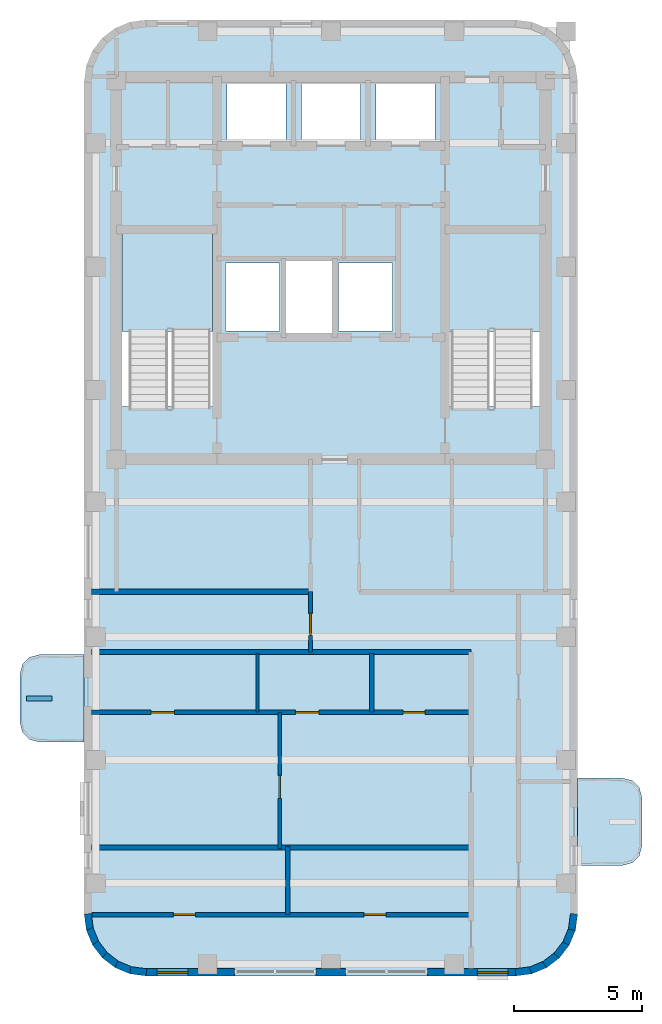
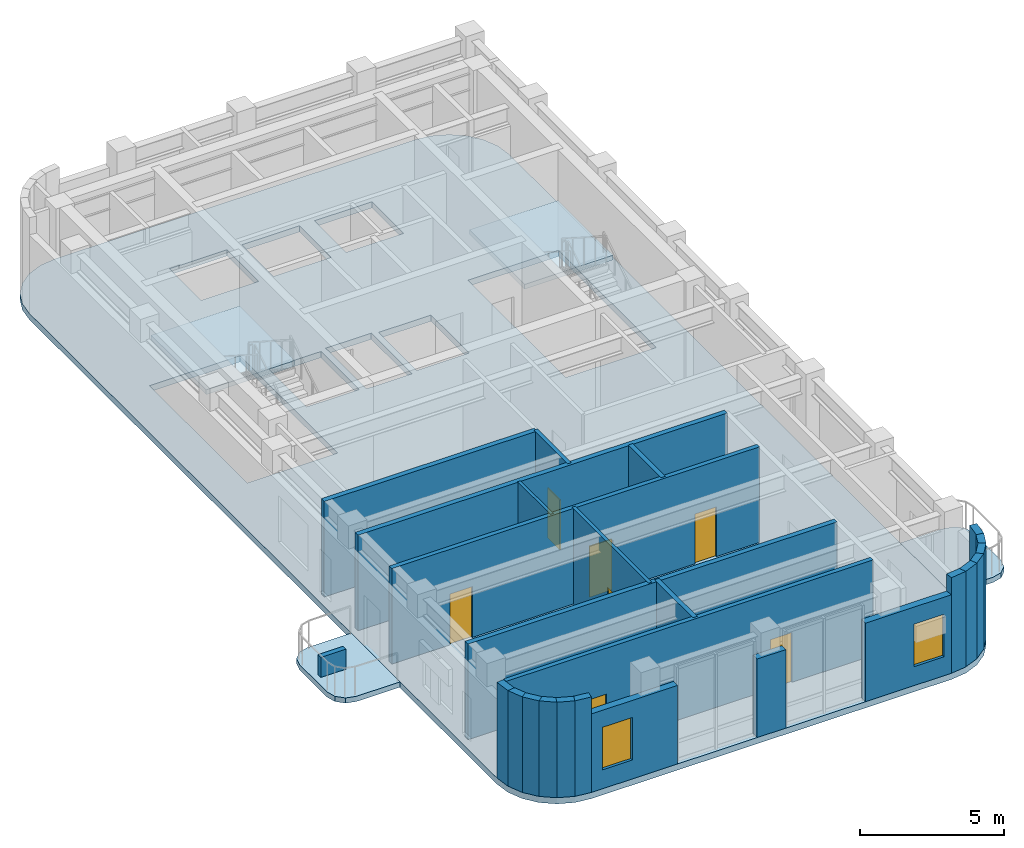
# One storey, part 2 of 6: 26 walls, 7 doors, 5 slabs, 2 windows, 9 openings, 2 elements without a shape of their own.
"""IFC4 building model written with IfcOpenShell, lengths in metres."""

from ifc_helpers import new_model, si_unit, direction, frame, frame_2d, origin, place, context, subcontext, project, spatial, polyline, rectangle, outline, extrude, material, layer, layer_set, type_object, element, fill, aggregate, save


model = new_model("IFC4")

# Units and contexts
model_context = context("Model", 3, precision=1e-05, world=origin(), true_north=direction((0.0, 1.0)))
body_context = subcontext(model_context, "Body", "Model", "MODEL_VIEW")
ifc_project = project(units=[si_unit("LENGTHUNIT", "METRE"), si_unit("AREAUNIT", "SQUARE_METRE"), si_unit("VOLUMEUNIT", "CUBIC_METRE"), si_unit("PLANEANGLEUNIT", "RADIAN"), si_unit("MASSUNIT", "GRAM", prefix="KILO")], contexts=[model_context])

# Site, building, storey
site_placement = place(None, origin())
site = spatial("IfcSite", under=ifc_project, at=site_placement, CompositionType="ELEMENT")
building_placement = place(site_placement, origin())
building = spatial("IfcBuilding", under=site, at=building_placement, Name="Orvandelia Arch Residences", CompositionType="ELEMENT")
storey_placement = place(building_placement, frame((0.0, 0.0, 278.5)))
storey = spatial("IfcBuildingStorey", under=building, at=storey_placement, Name="L72", CompositionType="ELEMENT", Elevation=278.5)

# Slabs
ifc_material_1 = material(Name="Precast concrete C40/50", Category="concrete")
ifc_layer_1 = layer(ifc_material_1, 0.219970703125, Name="Precast concrete C40/50", Category="concrete")
ifc_layer_set_1 = layer_set([ifc_layer_1], Name="Precast concrete C40/50")
slab_type_1 = type_object("IfcSlabType", Name="SLB-BAL-220", PredefinedType="USERDEFINED", material=ifc_layer_set_1)
slab_1_placement = place(storey_placement, frame((0.0, 0.0, -0.219970703125)))
element("IfcSlab", 1, at=slab_1_placement, inside=storey, type_object=slab_type_1, Name="Tree Balcony Cantilever Slab BAL-L72-W1", ObjectType="BALCONY", PredefinedType="USERDEFINED", context=body_context, shape_type="SweptSolid", body=[
    extrude(outline(polyline([(4.800048828125, 19.89990234375), (4.800048828125, 23.300048828125), (3.050048828125, 23.300048828125), (2.675048828125, 23.199462890625), (2.400390625, 22.925048828125), (2.300048828125, 22.550048828125), (2.300048828125, 20.64990234375), (2.400390625, 20.27490234375), (2.675048828125, 20.00048828125), (3.050048828125, 19.89990234375), (4.800048828125, 19.89990234375)])), origin(), (0.0, 0.0, 1.0), 0.219970703125),
])
slab_2_placement = place(storey_placement, frame((0.0, 0.0, -0.219970703125)))
element("IfcSlab", 2, at=slab_2_placement, inside=storey, type_object=slab_type_1, Name="Tree Balcony Cantilever Slab BAL-L72-W2", ObjectType="BALCONY", PredefinedType="USERDEFINED", context=body_context, shape_type="SweptSolid", body=[
    extrude(outline(polyline([(24.0, 18.5), (24.0, 15.10009765625), (25.75, 15.10009765625), (26.125, 15.200439453125), (26.3994140625, 15.47509765625), (26.5, 15.85009765625), (26.5, 17.75), (26.3994140625, 18.125), (26.125, 18.3994140625), (25.75, 18.5), (24.0, 18.5)])), origin(), (0.0, 0.0, 1.0), 0.219970703125),
])

# Stair, slab
ifc_material_2 = material(Name="Concrete C40/50", Category="concrete")
stair_type = type_object("IfcStairType", Name="STAIR-RC-DOGLEG", PredefinedType="HALF_TURN_STAIR", material=ifc_material_2)
stair_1_placement = place(storey_placement, origin())
stair_1 = element("IfcStair", 3, at=stair_1_placement, inside=storey, type_object=stair_type, Name="L72 Protected Exit Stair ST-1", PredefinedType="HALF_TURN_STAIR")
ifc_layer_2 = layer(ifc_material_2, 0.219970703125, Name="Concrete C40/50", Category="concrete")
ifc_layer_set_2 = layer_set([ifc_layer_2], Name="Concrete C40/50")
slab_type_2 = type_object("IfcSlabType", Name="SLB-LANDING-220", PredefinedType="LANDING", material=ifc_layer_set_2)
slab_3_placement = place(storey_placement, frame((0.0, 0.0, 1.949951171875)))
slab_3 = element("IfcSlab", 4, at=slab_3_placement, type_object=slab_type_2, Name="ST-1 landing 1", PredefinedType="LANDING", context=body_context, shape_type="SweptSolid", body=[
    extrude(outline(polyline([(9.800048828125, 35.8701171875), (9.800048828125, 39.68994140625), (6.260009765625, 39.68994140625), (6.260009765625, 35.8701171875), (9.800048828125, 35.8701171875)])), origin(), (0.0, 0.0, 1.0), 0.199951171875),
])
aggregate(stair_1, [slab_3])

stair_2_placement = place(storey_placement, origin())
stair_2 = element("IfcStair", 5, at=stair_2_placement, inside=storey, type_object=stair_type, Name="L72 Protected Exit Stair ST-2", PredefinedType="HALF_TURN_STAIR")
slab_4_placement = place(storey_placement, frame((0.0, 0.0, 1.949951171875)))
slab_4 = element("IfcSlab", 6, at=slab_4_placement, type_object=slab_type_2, Name="ST-2 landing 1", PredefinedType="LANDING", context=body_context, shape_type="SweptSolid", body=[
    extrude(outline(polyline([(22.5400390625, 35.8701171875), (22.5400390625, 39.68994140625), (19.0, 39.68994140625), (19.0, 35.8701171875), (22.5400390625, 35.8701171875)])), origin(), (0.0, 0.0, 1.0), 0.199951171875),
])
aggregate(stair_2, [slab_4])

# Slab
ifc_layer_3 = layer(ifc_material_2, 0.260009765625, Name="Concrete C40/50", Category="concrete")
ifc_layer_set_3 = layer_set([ifc_layer_3], Name="Concrete C40/50")
slab_type_3 = type_object("IfcSlabType", Name="SLB-TWR-260", PredefinedType="FLOOR", material=ifc_layer_set_3)
slab_5_placement = place(storey_placement, frame((0.0, 0.0, -0.260009765625)))
element("IfcSlab", 7, at=slab_5_placement, inside=storey, type_object=slab_type_3, Name="Structural Floor Slab L72-1", PredefinedType="FLOOR", context=body_context, shape_type="SweptSolid", body=[
    extrude(outline(polyline([(4.800048828125, 13.199951171875), (4.8818359375, 12.578857421875), (5.12158203125, 12.0), (5.5029296875, 11.5029296875), (6.0, 11.12158203125), (6.578857421875, 10.8818359375), (7.199951171875, 10.800048828125), (21.60009765625, 10.800048828125), (22.22119140625, 10.8818359375), (22.800048828125, 11.12158203125), (23.297119140625, 11.5029296875), (23.678466796875, 12.0), (23.918212890625, 12.578857421875), (24.0, 13.199951171875), (24.0, 45.60009765625), (23.918212890625, 46.22119140625), (23.678466796875, 46.800048828125), (23.297119140625, 47.297119140625), (22.800048828125, 47.678466796875), (22.22119140625, 47.918212890625), (21.60009765625, 48.0), (7.199951171875, 48.0), (6.578857421875, 47.918212890625), (6.0, 47.678466796875), (5.5029296875, 47.297119140625), (5.12158203125, 46.800048828125), (4.8818359375, 46.22119140625), (4.800048828125, 45.60009765625), (4.800048828125, 13.199951171875)]), holes=[polyline([(6.219970703125, 32.949951171875), (9.840087890625, 32.949951171875), (9.840087890625, 39.72998046875), (6.219970703125, 39.72998046875), (6.219970703125, 32.949951171875)]), polyline([(18.9599609375, 32.949951171875), (22.580078125, 32.949951171875), (22.580078125, 39.72998046875), (18.9599609375, 39.72998046875), (18.9599609375, 32.949951171875)]), polyline([(12.639892578125, 35.81005859375), (14.4599609375, 35.81005859375), (14.4599609375, 38.639892578125), (12.639892578125, 38.639892578125), (12.639892578125, 35.81005859375)]), polyline([(10.300048828125, 35.89990234375), (12.39990234375, 35.89990234375), (12.39990234375, 38.550048828125), (10.300048828125, 38.550048828125), (10.300048828125, 35.89990234375)]), polyline([(14.699951171875, 35.89990234375), (16.800048828125, 35.89990234375), (16.800048828125, 38.550048828125), (14.699951171875, 38.550048828125), (14.699951171875, 35.89990234375)]), polyline([(10.35009765625, 43.300048828125), (12.64990234375, 43.300048828125), (12.64990234375, 45.5), (10.35009765625, 45.5), (10.35009765625, 43.300048828125)]), polyline([(13.25, 43.300048828125), (15.550048828125, 43.300048828125), (15.550048828125, 45.5), (13.25, 45.5), (13.25, 43.300048828125)]), polyline([(16.14990234375, 43.300048828125), (18.449951171875, 43.300048828125), (18.449951171875, 45.5), (16.14990234375, 45.5), (16.14990234375, 43.300048828125)])]), origin(), (0.0, 0.0, 1.0), 0.260009765625),
])

# Walls
ifc_material_3 = material(Name="Fire-Rated Corridor Partition")
ifc_layer_4 = layer(ifc_material_3, 0.199951171875, Name="Fire-Rated Corridor Partition")
ifc_layer_set_4 = layer_set([ifc_layer_4], Name="Fire-Rated Corridor Partition")
wall_type_1 = type_object("IfcWallType", Name="WL-CORR-200", PredefinedType="PARTITIONING", material=ifc_layer_set_4)
wall_1_placement = place(storey_placement, frame((5.080078125, 23.39990234375, 0.0), z_axis=(0.0, 0.0, 1.0), x_axis=(1.0, 0.0, 0.0)))
element("IfcWall", 8, at=wall_1_placement, inside=storey, type_object=wall_type_1, Name="Interior Partition Wall WL-L72-WLNK-S", PredefinedType="PARTITIONING", context=body_context, shape_type="SweptSolid", body=[
    extrude(rectangle(XDim=14.77001953125, YDim=0.199951171875, at=frame_2d((7.385009765625, 0.0))), origin(), (0.0, 0.0, 1.0), 4.0400390625),
])
wall_2_placement = place(storey_placement, frame((5.080078125, 25.75, 0.0), z_axis=(0.0, 0.0, 1.0), x_axis=(1.0, 0.0, 0.0)))
element("IfcWall", 9, at=wall_2_placement, inside=storey, type_object=wall_type_1, Name="Interior Partition Wall WL-L72-WLNK-NW2", PredefinedType="PARTITIONING", context=body_context, shape_type="SweptSolid", body=[
    extrude(rectangle(XDim=8.52001953125, YDim=0.199951171875, at=frame_2d((4.260009765625, 0.0))), origin(), (0.0, 0.0, 1.0), 4.0400390625),
])
ifc_layer_5 = layer(ifc_material_2, 0.199951171875, Name="Concrete C40/50", Category="concrete")
ifc_layer_set_5 = layer_set([ifc_layer_5], Name="Concrete C40/50")
wall_type_2 = type_object("IfcWallType", Name="WL-DEM-200", PredefinedType="SOLIDWALL", material=ifc_layer_set_5)
wall_3_placement = place(storey_placement, frame((5.080078125, 15.800048828125, 0.0), z_axis=(0.0, 0.0, 1.0), x_axis=(1.0, 0.0, 0.0)))
element("IfcWall", 10, at=wall_3_placement, inside=storey, type_object=wall_type_2, Name="Interior Partition Wall WL-L72-DEM-WL-158", PredefinedType="SOLIDWALL", context=body_context, shape_type="SweptSolid", body=[
    extrude(rectangle(XDim=14.77001953125, YDim=0.199951171875, at=frame_2d((7.385009765625, 0.0))), origin(), (0.0, 0.0, 1.0), 4.0400390625),
])
ifc_layer_6 = layer(ifc_material_1, 0.280029296875, Name="Precast concrete C40/50", Category="concrete")
ifc_layer_set_6 = layer_set([ifc_layer_6], Name="Precast concrete C40/50")
wall_type_3 = type_object("IfcWallType", Name="WL-EXT-STONE-280", PredefinedType="STANDARD", material=ifc_layer_set_6)
wall_4_placement = place(storey_placement, frame((23.861083984375, 13.21826171875, 0.0), z_axis=(0.0, 0.0, 1.0), x_axis=(-0.130555323746, -0.9914410257, 0.0)))
element("IfcWall", 11, at=wall_4_placement, inside=storey, type_object=wall_type_3, Name="Coral-Limestone Precast Facade Wall L72-015", PredefinedType="STANDARD", context=body_context, shape_type="SweptSolid", body=[
    extrude(rectangle(XDim=0.62646484375, YDim=0.280029296875, at=frame_2d((0.313232421875, 0.0))), origin(), (0.0, 0.0, 1.0), 4.0400390625),
])
wall_5_placement = place(storey_placement, frame((23.788818359375, 12.63232421875, 0.0), z_axis=(0.0, 0.0, 1.0), x_axis=(-0.382455093999, -0.923974080304, 0.0)))
element("IfcWall", 12, at=wall_5_placement, inside=storey, type_object=wall_type_3, Name="Coral-Limestone Precast Facade Wall L72-016", PredefinedType="STANDARD", context=body_context, shape_type="SweptSolid", body=[
    extrude(rectangle(XDim=0.626220703125, YDim=0.280029296875, at=frame_2d((0.31298828125, 0.0))), origin(), (0.0, 0.0, 1.0), 4.0400390625),
])
for number, where, z_axis, x_axis, name in (
    (13, (23.5673828125, 12.085205078125, 0.0), (0.0, 0.0, 1.0), (-0.608693302629, -0.793405610854, 0.0), "Coral-Limestone Precast Facade Wall L72-017"),
    (14, (23.2119140625, 11.614013671875, 0.0), (0.0, 0.0, 1.0), (-0.793405610854, -0.608693302629, 0.0), "Coral-Limestone Precast Facade Wall L72-018"),
    (15, (22.746337890625, 11.250732421875, 0.0), (0.0, 0.0, 1.0), (-0.92389335771, -0.382650053678, 0.0), "Coral-Limestone Precast Facade Wall L72-019"),
    (16, (22.202880859375, 11.0205078125, 0.0), (0.0, 0.0, 1.0), (-0.9914410257, -0.130555323746, 0.0), "Coral-Limestone Precast Facade Wall L72-020"),
):
    element("IfcWall", number, at=place(storey_placement, frame(where, z_axis=z_axis, x_axis=x_axis)), inside=storey, type_object=wall_type_3, Name=name, PredefinedType="STANDARD", context=body_context, shape_type="SweptSolid", body=[
        extrude(rectangle(XDim=0.62646484375, YDim=0.280029296875, at=frame_2d((0.313232421875, 0.0))), origin(), (0.0, 0.0, 1.0), 4.0400390625),
    ])

# Wall, opening, window
wall_6_placement = place(storey_placement, frame((21.60009765625, 10.93994140625, 0.0), z_axis=(0.0, 0.0, 1.0), x_axis=(-1.0, 0.0, 0.0)))
wall_6 = element("IfcWall", 17, at=wall_6_placement, inside=storey, type_object=wall_type_3, Name="Coral-Limestone Precast Facade Wall L72-021", PredefinedType="STANDARD", context=body_context, shape_type="SweptSolid", body=[
    extrude(rectangle(XDim=3.440185546875, YDim=0.280029296875, at=frame_2d((1.72021484375, 0.0))), origin(), (0.0, 0.0, 1.0), 3.320068359375),
])
opening_1_placement = place(wall_6_placement, frame((0.304931640625, 0.0, 0.800048828125)))
opening_1 = element("IfcOpeningElement", 18, at=opening_1_placement, cuts=wall_6, Name="Opening W3", PredefinedType="OPENING", context=body_context, shape_type="SweptSolid", body=[
    extrude(rectangle(XDim=1.199951171875, YDim=1.800048828125, at=frame_2d((0.60009765625, 0.89990234375))), frame((0.0, 0.14990234375, 0.0), z_axis=(0.0, -1.0, 0.0), x_axis=(1.0, 0.0, 0.0)), (0.0, 0.0, 1.0), 0.300048828125),
])
ifc_material_4 = material(Name="Tempered Low-E Insulated Glazing", Category="glass")
window_type = type_object("IfcWindowType", Name="WIN-RES-1200x1800", PartitioningType="SINGLE_PANEL", PredefinedType="WINDOW", material=ifc_material_4)
window_1_placement = place(opening_1_placement, origin())
window_1 = element("IfcWindow", 19, at=window_1_placement, inside=storey, type_object=window_type, Name="Recessed Punched Window L72-006", OverallHeight=1.800048828125, OverallWidth=1.199951171875, PartitioningType="SINGLE_PANEL", PredefinedType="WINDOW", context=body_context, shape_type="SweptSolid", body=[
    extrude(rectangle(XDim=1.199951171875, YDim=1.800048828125, at=frame_2d((0.60009765625, 0.89990234375))), frame((0.0, 0.030029296875, 0.0), z_axis=(0.0, -1.0, 0.0), x_axis=(1.0, 0.0, 0.0)), (0.0, 0.0, 1.0), 0.06005859375),
])
fill(opening_1, window_1)

# Wall
wall_7_placement = place(storey_placement, frame((14.97509765625, 10.93994140625, 0.0), z_axis=(0.0, 0.0, 1.0), x_axis=(-1.0, 0.0, 0.0)))
element("IfcWall", 20, at=wall_7_placement, inside=storey, type_object=wall_type_3, Name="Coral-Limestone Precast Facade Wall L72-022", PredefinedType="STANDARD", context=body_context, shape_type="SweptSolid", body=[
    extrude(rectangle(XDim=1.150146484375, YDim=0.280029296875, at=frame_2d((0.5751953125, 0.0))), origin(), (0.0, 0.0, 1.0), 3.320068359375),
])

# Wall, opening, window
wall_8_placement = place(storey_placement, frame((10.639892578125, 10.93994140625, 0.0), z_axis=(0.0, 0.0, 1.0), x_axis=(-1.0, 0.0, 0.0)))
wall_8 = element("IfcWall", 21, at=wall_8_placement, inside=storey, type_object=wall_type_3, Name="Coral-Limestone Precast Facade Wall L72-023", PredefinedType="STANDARD", context=body_context, shape_type="SweptSolid", body=[
    extrude(rectangle(XDim=3.43994140625, YDim=0.280029296875, at=frame_2d((1.719970703125, 0.0))), origin(), (0.0, 0.0, 1.0), 3.320068359375),
])
opening_2_placement = place(wall_8_placement, frame((1.8076171875, 0.0, 0.800048828125)))
opening_2 = element("IfcOpeningElement", 22, at=opening_2_placement, cuts=wall_8, Name="Opening W3", PredefinedType="OPENING", context=body_context, shape_type="SweptSolid", body=[
    extrude(rectangle(XDim=1.199951171875, YDim=1.800048828125, at=frame_2d((0.60009765625, 0.89990234375))), frame((0.0, 0.14990234375, 0.0), z_axis=(0.0, -1.0, 0.0), x_axis=(1.0, 0.0, 0.0)), (0.0, 0.0, 1.0), 0.300048828125),
])
window_2_placement = place(opening_2_placement, origin())
window_2 = element("IfcWindow", 23, at=window_2_placement, inside=storey, type_object=window_type, Name="Recessed Punched Window L72-007", OverallHeight=1.800048828125, OverallWidth=1.199951171875, PartitioningType="SINGLE_PANEL", PredefinedType="WINDOW", context=body_context, shape_type="SweptSolid", body=[
    extrude(rectangle(XDim=1.199951171875, YDim=1.800048828125, at=frame_2d((0.60009765625, 0.89990234375))), frame((0.0, 0.030029296875, 0.0), z_axis=(0.0, -1.0, 0.0), x_axis=(1.0, 0.0, 0.0)), (0.0, 0.0, 1.0), 0.06005859375),
])
fill(opening_2, window_2)

# Walls
wall_9_placement = place(storey_placement, frame((7.21826171875, 10.938720703125, 0.0), z_axis=(0.0, 0.0, 1.0), x_axis=(-0.9914410257, 0.130555323746, 0.0)))
element("IfcWall", 24, at=wall_9_placement, inside=storey, type_object=wall_type_3, Name="Coral-Limestone Precast Facade Wall L72-024", PredefinedType="STANDARD", context=body_context, shape_type="SweptSolid", body=[
    extrude(rectangle(XDim=0.62646484375, YDim=0.280029296875, at=frame_2d((0.313232421875, 0.0))), origin(), (0.0, 0.0, 1.0), 4.0400390625),
])
wall_10_placement = place(storey_placement, frame((6.63232421875, 11.010986328125, 0.0), z_axis=(0.0, 0.0, 1.0), x_axis=(-0.923836271867, 0.382787856107, 0.0)))
element("IfcWall", 25, at=wall_10_placement, inside=storey, type_object=wall_type_3, Name="Coral-Limestone Precast Facade Wall L72-025", PredefinedType="STANDARD", context=body_context, shape_type="SweptSolid", body=[
    extrude(rectangle(XDim=0.626220703125, YDim=0.280029296875, at=frame_2d((0.31298828125, 0.0))), origin(), (0.0, 0.0, 1.0), 4.0400390625),
])
for number, where, z_axis, x_axis, name in (
    (26, (6.085205078125, 11.232666015625, 0.0), (0.0, 0.0, 1.0), (-0.793405610854, 0.608693302629, 0.0), "Coral-Limestone Precast Facade Wall L72-026"),
    (27, (5.614013671875, 11.588134765625, 0.0), (0.0, 0.0, 1.0), (-0.608693302629, 0.793405610854, 0.0), "Coral-Limestone Precast Facade Wall L72-027"),
):
    element("IfcWall", number, at=place(storey_placement, frame(where, z_axis=z_axis, x_axis=x_axis)), inside=storey, type_object=wall_type_3, Name=name, PredefinedType="STANDARD", context=body_context, shape_type="SweptSolid", body=[
        extrude(rectangle(XDim=0.62646484375, YDim=0.280029296875, at=frame_2d((0.313232421875, 0.0))), origin(), (0.0, 0.0, 1.0), 4.0400390625),
    ])
wall_11_placement = place(storey_placement, frame((5.250732421875, 12.0537109375, 0.0), z_axis=(0.0, 0.0, 1.0), x_axis=(-0.382787856107, 0.923836271867, 0.0)))
element("IfcWall", 28, at=wall_11_placement, inside=storey, type_object=wall_type_3, Name="Coral-Limestone Precast Facade Wall L72-028", PredefinedType="STANDARD", context=body_context, shape_type="SweptSolid", body=[
    extrude(rectangle(XDim=0.626220703125, YDim=0.280029296875, at=frame_2d((0.31298828125, 0.0))), origin(), (0.0, 0.0, 1.0), 4.0400390625),
])
wall_12_placement = place(storey_placement, frame((5.0205078125, 12.59716796875, 0.0), z_axis=(0.0, 0.0, 1.0), x_axis=(-0.130555323746, 0.9914410257, 0.0)))
element("IfcWall", 29, at=wall_12_placement, inside=storey, type_object=wall_type_3, Name="Coral-Limestone Precast Facade Wall L72-029", PredefinedType="STANDARD", context=body_context, shape_type="SweptSolid", body=[
    extrude(rectangle(XDim=0.62646484375, YDim=0.280029296875, at=frame_2d((0.313232421875, 0.0))), origin(), (0.0, 0.0, 1.0), 4.0400390625),
])
ifc_material_5 = material(Name="Lightweight Gypsum Stud Partition")
ifc_layer_7 = layer(ifc_material_5, 0.1201171875, Name="Lightweight Gypsum Stud Partition")
ifc_layer_set_7 = layer_set([ifc_layer_7], Name="Lightweight Gypsum Stud Partition")
wall_type_4 = type_object("IfcWallType", Name="WL-PART-120", PredefinedType="PARTITIONING", material=ifc_layer_set_7)
wall_13_placement = place(storey_placement, frame((11.541015625, 21.06005859375, 0.0), z_axis=(0.0, 0.0, 1.0), x_axis=(0.0, 1.0, 0.0)))
element("IfcWall", 30, at=wall_13_placement, inside=storey, type_object=wall_type_4, Name="Interior Partition Wall WL-L72-U02-V1", PredefinedType="PARTITIONING", context=body_context, shape_type="SweptSolid", body=[
    extrude(rectangle(XDim=2.280029296875, YDim=0.1201171875, at=frame_2d((1.14013671875, 0.0))), origin(), (0.0, 0.0, 1.0), 4.0400390625),
])

# Wall, opening, door
ifc_material_6 = material(Name="Double-Layer Acoustic Gypsum Partition")
ifc_layer_8 = layer(ifc_material_6, 0.135009765625, Name="Double-Layer Acoustic Gypsum Partition")
ifc_layer_set_8 = layer_set([ifc_layer_8], Name="Double-Layer Acoustic Gypsum Partition")
wall_type_5 = type_object("IfcWallType", Name="WL-PART-135", PredefinedType="PARTITIONING", material=ifc_layer_set_8)
wall_14_placement = place(storey_placement, frame((12.408935546875, 15.760009765625, 0.0), z_axis=(0.0, 0.0, 1.0), x_axis=(0.0, 1.0, 0.0)))
wall_14 = element("IfcWall", 31, at=wall_14_placement, inside=storey, type_object=wall_type_5, Name="Interior Partition Wall WL-L72-U02-DIN", PredefinedType="PARTITIONING", context=body_context, shape_type="SweptSolid", body=[
    extrude(rectangle(XDim=5.300048828125, YDim=0.135009765625, at=frame_2d((2.64990234375, 0.0))), origin(), (0.0, 0.0, 1.0), 4.0400390625),
])
opening_3_placement = place(wall_14_placement, frame((1.944091796875, 0.0, 0.0)))
opening_3 = element("IfcOpeningElement", 32, at=opening_3_placement, cuts=wall_14, Name="Opening D3", PredefinedType="OPENING", context=body_context, shape_type="SweptSolid", body=[
    extrude(rectangle(XDim=0.89990234375, YDim=2.14990234375, at=frame_2d((0.449951171875, 1.074951171875))), frame((0.0, 0.07763671875, 0.0), z_axis=(0.0, -1.0, 0.0), x_axis=(1.0, 0.0, 0.0)), (0.0, 0.0, 1.0), 0.155029296875),
])
ifc_material_7 = material(Name="Engineered Timber Flush Door", Category="wood")
door_type_1 = type_object("IfcDoorType", Name="DR-INT-900", OperationType="NOTDEFINED", PredefinedType="DOOR", material=ifc_material_7)
door_1_placement = place(opening_3_placement, origin())
door_1 = element("IfcDoor", 33, at=door_1_placement, inside=storey, type_object=door_type_1, Name="DR-L72-U02-DIN", OperationType="SINGLE_SWING_LEFT", OverallHeight=2.14990234375, OverallWidth=0.89990234375, PredefinedType="DOOR", context=body_context, shape_type="SweptSolid", body=[
    extrude(rectangle(XDim=0.89990234375, YDim=2.14990234375, at=frame_2d((0.449951171875, 1.074951171875))), frame((0.0, 0.02490234375, 0.0), z_axis=(0.0, -1.0, 0.0), x_axis=(1.0, 0.0, 0.0)), (0.0, 0.0, 1.0), 0.050048828125),
])
fill(opening_3, door_1)

ifc_material_8 = material(Name="Acoustic Gypsum Stud Partition")
ifc_layer_9 = layer(ifc_material_8, 0.14990234375, Name="Acoustic Gypsum Stud Partition")
ifc_layer_set_9 = layer_set([ifc_layer_9], Name="Acoustic Gypsum Stud Partition")
wall_type_6 = type_object("IfcWallType", Name="WL-PART-150", PredefinedType="PARTITIONING", material=ifc_layer_set_9)
wall_15_placement = place(storey_placement, frame((13.60009765625, 23.39990234375, 0.0), z_axis=(0.0, 0.0, 1.0), x_axis=(0.0, 1.0, 0.0)))
wall_15 = element("IfcWall", 34, at=wall_15_placement, inside=storey, type_object=wall_type_6, Name="Interior Partition Wall WL-L72-WLNK-W", PredefinedType="PARTITIONING", context=body_context, shape_type="SweptSolid", body=[
    extrude(rectangle(XDim=2.35009765625, YDim=0.14990234375, at=frame_2d((1.175048828125, 0.0))), origin(), (0.0, 0.0, 1.0), 4.0400390625),
])
opening_4_placement = place(wall_15_placement, frame((0.64990234375, 0.0, 0.0)))
opening_4 = element("IfcOpeningElement", 35, at=opening_4_placement, cuts=wall_15, Name="Opening D4", PredefinedType="OPENING", context=body_context, shape_type="SweptSolid", body=[
    extrude(rectangle(XDim=0.860107421875, YDim=2.10009765625, at=frame_2d((0.43017578125, 1.050048828125))), frame((0.0, 0.0849609375, 0.0), z_axis=(0.0, -1.0, 0.0), x_axis=(1.0, 0.0, 0.0)), (0.0, 0.0, 1.0), 0.169921875),
])
ifc_material_9 = material(Name="Moisture-Sealed Timber Bathroom Door", Category="wood")
door_type_2 = type_object("IfcDoorType", Name="DR-WET-900", OperationType="NOTDEFINED", PredefinedType="DOOR", material=ifc_material_9)
door_2_placement = place(opening_4_placement, origin())
door_2 = element("IfcDoor", 36, at=door_2_placement, inside=storey, type_object=door_type_2, Name="DR-L72-WLNKST", OperationType="SINGLE_SWING_LEFT", OverallHeight=2.10009765625, OverallWidth=0.860107421875, PredefinedType="DOOR", context=body_context, shape_type="SweptSolid", body=[
    extrude(rectangle(XDim=0.860107421875, YDim=2.10009765625, at=frame_2d((0.43017578125, 1.050048828125))), frame((0.0, 0.02490234375, 0.0), z_axis=(0.0, -1.0, 0.0), x_axis=(1.0, 0.0, 0.0)), (0.0, 0.0, 1.0), 0.050048828125),
])
fill(opening_4, door_2)

# Wall
ifc_layer_10 = layer(ifc_material_1, 0.199951171875, Name="Precast concrete C40/50", Category="concrete")
ifc_layer_set_10 = layer_set([ifc_layer_10], Name="Precast concrete C40/50")
wall_type_7 = type_object("IfcWallType", Name="WL-PLANTER-200", PredefinedType="MOVABLE", material=ifc_layer_set_10)
wall_16_placement = place(storey_placement, frame((2.550048828125, 21.60009765625, 0.0), z_axis=(0.0, 0.0, 1.0), x_axis=(1.0, 0.0, 0.0)))
element("IfcWall", 37, at=wall_16_placement, inside=storey, type_object=wall_type_7, Name="Balcony Precast Tree Planter BAL-L72-W1", PredefinedType="MOVABLE", context=body_context, shape_type="SweptSolid", body=[
    extrude(rectangle(XDim=1.0, YDim=0.199951171875, at=frame_2d((0.5, 0.0))), origin(), (0.0, 0.0, 1.0), 0.85009765625),
])

# Wall, openings, doors
ifc_material_10 = material(Name="Moisture-Resistant Plumbing Wall")
ifc_layer_11 = layer(ifc_material_10, 0.179931640625, Name="Moisture-Resistant Plumbing Wall")
ifc_layer_set_11 = layer_set([ifc_layer_11], Name="Moisture-Resistant Plumbing Wall")
wall_type_8 = type_object("IfcWallType", Name="WL-WET-180", PredefinedType="PLUMBINGWALL", material=ifc_layer_set_11)
wall_17_placement = place(storey_placement, frame((5.10009765625, 13.179931640625, 0.0), z_axis=(0.0, 0.0, 1.0), x_axis=(1.0, 0.0, 0.0)))
wall_17 = element("IfcWall", 38, at=wall_17_placement, inside=storey, type_object=wall_type_8, Name="Interior Partition Wall WL-L72-U01-HZ", PredefinedType="PLUMBINGWALL", context=body_context, shape_type="SweptSolid", body=[
    extrude(rectangle(XDim=14.68994140625, YDim=0.179931640625, at=frame_2d((7.344970703125, 0.0))), origin(), (0.0, 0.0, 1.0), 4.0400390625),
])
opening_5_placement = place(wall_17_placement, frame((3.1650390625, 0.0, 0.0)))
opening_5 = element("IfcOpeningElement", 39, at=opening_5_placement, cuts=wall_17, Name="Opening D4", PredefinedType="OPENING", context=body_context, shape_type="SweptSolid", body=[
    extrude(rectangle(XDim=0.860107421875, YDim=2.10009765625, at=frame_2d((0.43017578125, 1.050048828125))), frame((0.0, 0.10009765625, 0.0), z_axis=(0.0, -1.0, 0.0), x_axis=(1.0, 0.0, 0.0)), (0.0, 0.0, 1.0), 0.199951171875),
])
opening_6_placement = place(wall_17_placement, frame((10.580078125, 0.0, 0.0)))
opening_6 = element("IfcOpeningElement", 40, at=opening_6_placement, cuts=wall_17, Name="Opening D4", PredefinedType="OPENING", context=body_context, shape_type="SweptSolid", body=[
    extrude(rectangle(XDim=0.860107421875, YDim=2.10009765625, at=frame_2d((0.43017578125, 1.050048828125))), frame((0.0, 0.10009765625, 0.0), z_axis=(0.0, -1.0, 0.0), x_axis=(1.0, 0.0, 0.0)), (0.0, 0.0, 1.0), 0.199951171875),
])
door_3_placement = place(opening_5_placement, origin())
door_3 = element("IfcDoor", 41, at=door_3_placement, inside=storey, type_object=door_type_2, Name="DR-L72-U01-KIT", OperationType="SINGLE_SWING_LEFT", OverallHeight=2.10009765625, OverallWidth=0.860107421875, PredefinedType="DOOR", context=body_context, shape_type="SweptSolid", body=[
    extrude(rectangle(XDim=0.860107421875, YDim=2.10009765625, at=frame_2d((0.43017578125, 1.050048828125))), frame((0.0, 0.02490234375, 0.0), z_axis=(0.0, -1.0, 0.0), x_axis=(1.0, 0.0, 0.0)), (0.0, 0.0, 1.0), 0.050048828125),
])
fill(opening_5, door_3)
door_4_placement = place(opening_6_placement, origin())
door_4 = element("IfcDoor", 42, at=door_4_placement, inside=storey, type_object=door_type_2, Name="DR-L72-U01-BTH", OperationType="SINGLE_SWING_RIGHT", OverallHeight=2.10009765625, OverallWidth=0.860107421875, PredefinedType="DOOR", context=body_context, shape_type="SweptSolid", body=[
    extrude(rectangle(XDim=0.860107421875, YDim=2.10009765625, at=frame_2d((0.43017578125, 1.050048828125))), frame((0.0, 0.02490234375, 0.0), z_axis=(0.0, -1.0, 0.0), x_axis=(1.0, 0.0, 0.0)), (0.0, 0.0, 1.0), 0.050048828125),
])
fill(opening_6, door_4)

# Wall
wall_18_placement = place(storey_placement, frame((12.719970703125, 13.179931640625, 0.0), z_axis=(0.0, 0.0, 1.0), x_axis=(0.0, 1.0, 0.0)))
element("IfcWall", 43, at=wall_18_placement, inside=storey, type_object=wall_type_8, Name="Interior Partition Wall WL-L72-U01-V1", PredefinedType="PLUMBINGWALL", context=body_context, shape_type="SweptSolid", body=[
    extrude(rectangle(XDim=2.66015625, YDim=0.179931640625, at=frame_2d((1.330078125, 0.0))), origin(), (0.0, 0.0, 1.0), 4.0400390625),
])

# Wall, openings, doors
wall_19_placement = place(storey_placement, frame((5.080078125, 21.06005859375, 0.0), z_axis=(0.0, 0.0, 1.0), x_axis=(1.0, 0.0, 0.0)))
wall_19 = element("IfcWall", 44, at=wall_19_placement, inside=storey, type_object=wall_type_8, Name="Interior Partition Wall WL-L72-U02-HZ", PredefinedType="PLUMBINGWALL", context=body_context, shape_type="SweptSolid", body=[
    extrude(rectangle(XDim=14.7099609375, YDim=0.179931640625, at=frame_2d((7.35498046875, 0.0))), origin(), (0.0, 0.0, 1.0), 4.0400390625),
])
opening_7_placement = place(wall_19_placement, frame((2.323974609375, 0.0, 0.0)))
opening_7 = element("IfcOpeningElement", 45, at=opening_7_placement, cuts=wall_19, Name="Opening D3", PredefinedType="OPENING", context=body_context, shape_type="SweptSolid", body=[
    extrude(rectangle(XDim=0.89990234375, YDim=2.14990234375, at=frame_2d((0.449951171875, 1.074951171875))), frame((0.0, 0.10009765625, 0.0), z_axis=(0.0, -1.0, 0.0), x_axis=(1.0, 0.0, 0.0)), (0.0, 0.0, 1.0), 0.199951171875),
])
opening_8_placement = place(wall_19_placement, frame((7.94775390625, 0.0, 0.0)))
opening_8 = element("IfcOpeningElement", 46, at=opening_8_placement, cuts=wall_19, Name="Opening D3", PredefinedType="OPENING", context=body_context, shape_type="SweptSolid", body=[
    extrude(rectangle(XDim=0.89990234375, YDim=2.14990234375, at=frame_2d((0.449951171875, 1.074951171875))), frame((0.0, 0.10009765625, 0.0), z_axis=(0.0, -1.0, 0.0), x_axis=(1.0, 0.0, 0.0)), (0.0, 0.0, 1.0), 0.199951171875),
])
opening_9_placement = place(wall_19_placement, frame((12.127685546875, 0.0, 0.0)))
opening_9 = element("IfcOpeningElement", 47, at=opening_9_placement, cuts=wall_19, Name="Opening D4", PredefinedType="OPENING", context=body_context, shape_type="SweptSolid", body=[
    extrude(rectangle(XDim=0.860107421875, YDim=2.10009765625, at=frame_2d((0.43017578125, 1.050048828125))), frame((0.0, 0.10009765625, 0.0), z_axis=(0.0, -1.0, 0.0), x_axis=(1.0, 0.0, 0.0)), (0.0, 0.0, 1.0), 0.199951171875),
])
door_5_placement = place(opening_7_placement, origin())
door_5 = element("IfcDoor", 48, at=door_5_placement, inside=storey, type_object=door_type_1, Name="DR-L72-U02-BD1", OperationType="SINGLE_SWING_RIGHT", OverallHeight=2.14990234375, OverallWidth=0.89990234375, PredefinedType="DOOR", context=body_context, shape_type="SweptSolid", body=[
    extrude(rectangle(XDim=0.89990234375, YDim=2.14990234375, at=frame_2d((0.449951171875, 1.074951171875))), frame((0.0, 0.02490234375, 0.0), z_axis=(0.0, -1.0, 0.0), x_axis=(1.0, 0.0, 0.0)), (0.0, 0.0, 1.0), 0.050048828125),
])
fill(opening_7, door_5)
door_6_placement = place(opening_8_placement, origin())
door_6 = element("IfcDoor", 49, at=door_6_placement, inside=storey, type_object=door_type_1, Name="DR-L72-U02-KIT", OperationType="SINGLE_SWING_LEFT", OverallHeight=2.14990234375, OverallWidth=0.89990234375, PredefinedType="DOOR", context=body_context, shape_type="SweptSolid", body=[
    extrude(rectangle(XDim=0.89990234375, YDim=2.14990234375, at=frame_2d((0.449951171875, 1.074951171875))), frame((0.0, 0.02490234375, 0.0), z_axis=(0.0, -1.0, 0.0), x_axis=(1.0, 0.0, 0.0)), (0.0, 0.0, 1.0), 0.050048828125),
])
fill(opening_8, door_6)
door_7_placement = place(opening_9_placement, origin())
door_7 = element("IfcDoor", 50, at=door_7_placement, inside=storey, type_object=door_type_2, Name="DR-L72-U02-BTH", OperationType="SINGLE_SWING_RIGHT", OverallHeight=2.10009765625, OverallWidth=0.860107421875, PredefinedType="DOOR", context=body_context, shape_type="SweptSolid", body=[
    extrude(rectangle(XDim=0.860107421875, YDim=2.10009765625, at=frame_2d((0.43017578125, 1.050048828125))), frame((0.0, 0.02490234375, 0.0), z_axis=(0.0, -1.0, 0.0), x_axis=(1.0, 0.0, 0.0)), (0.0, 0.0, 1.0), 0.050048828125),
])
fill(opening_9, door_7)

# Wall
wall_20_placement = place(storey_placement, frame((15.9951171875, 21.06005859375, 0.0), z_axis=(0.0, 0.0, 1.0), x_axis=(0.0, 1.0, 0.0)))
element("IfcWall", 51, at=wall_20_placement, inside=storey, type_object=wall_type_8, Name="Interior Partition Wall WL-L72-U02-V2", PredefinedType="PLUMBINGWALL", context=body_context, shape_type="SweptSolid", body=[
    extrude(rectangle(XDim=2.280029296875, YDim=0.179931640625, at=frame_2d((1.14013671875, 0.0))), origin(), (0.0, 0.0, 1.0), 4.0400390625),
])

save(model, "model.ifc")
